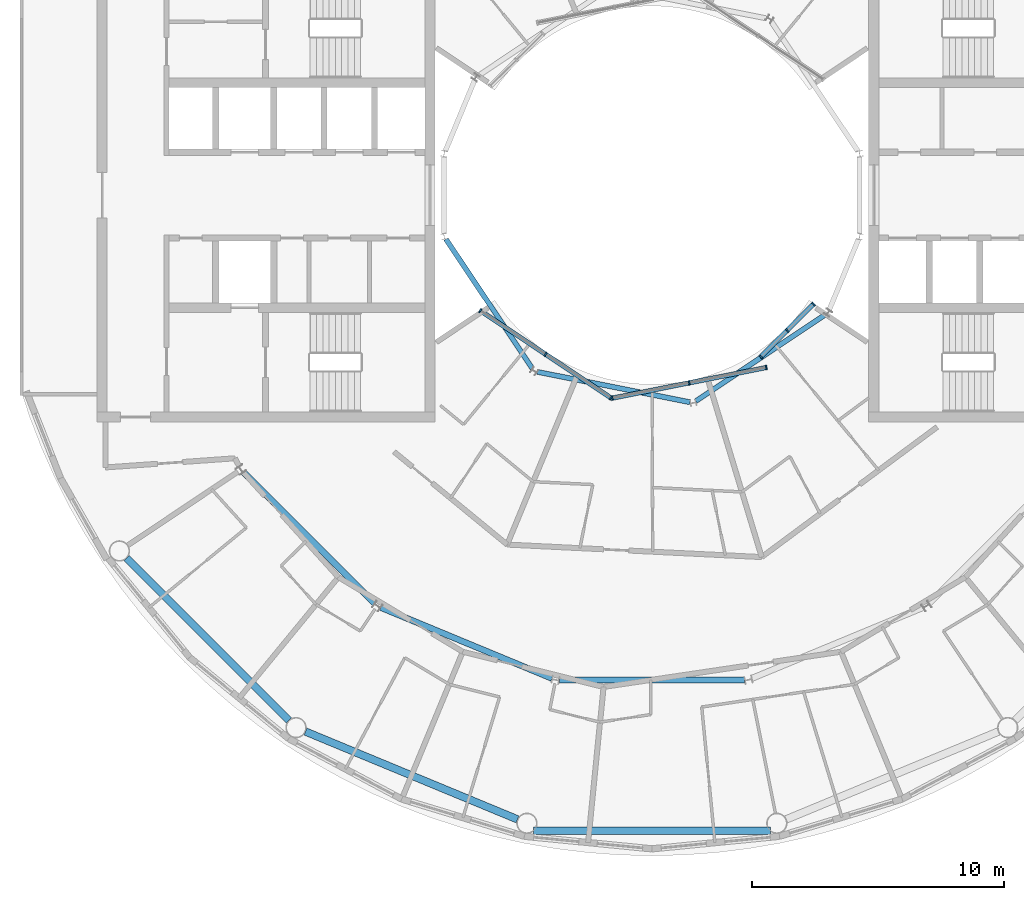
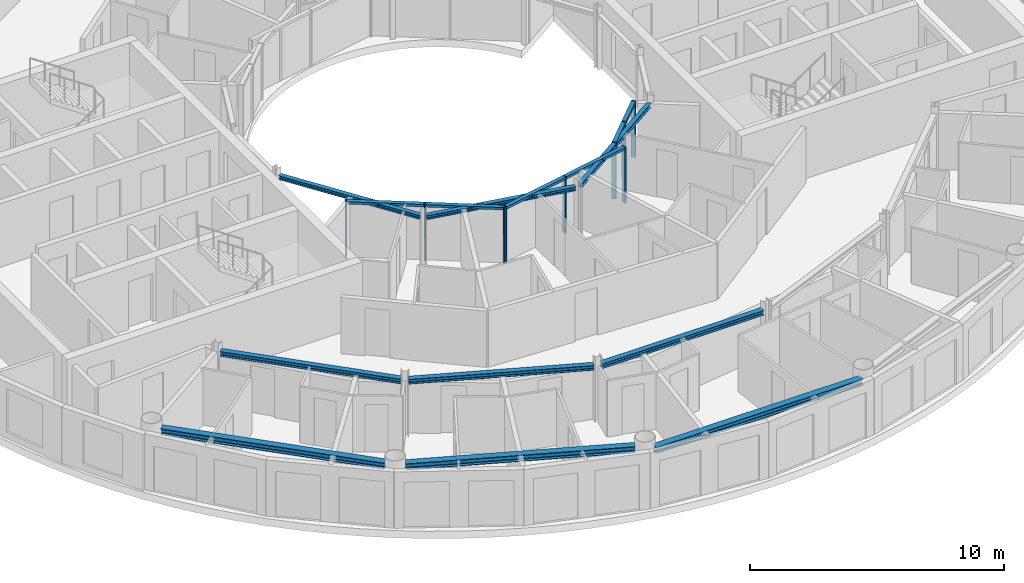
# One storey, part 6 of 22: 15 members, 9 beams, 3 elements without a shape of their own.
"""IFC4 building model written with IfcOpenShell, lengths in metres."""

from ifc_helpers import new_model, si_unit, direction, frame, origin, origin_2d, place, context, subcontext, project, spatial, rectangle, i_section, extrude, material, layer, layer_set, material_profile, profile_set, type_object, element, aggregate, save


model = new_model("IFC4")

# Units and contexts
model_context = context("Model", 3, precision=1e-05, world=origin(), true_north=direction((0.0, 1.0)))
body_context = subcontext(model_context, "Body", "Model", "MODEL_VIEW")
ifc_project = project(units=[si_unit("LENGTHUNIT", "METRE"), si_unit("AREAUNIT", "SQUARE_METRE"), si_unit("VOLUMEUNIT", "CUBIC_METRE"), si_unit("PLANEANGLEUNIT", "RADIAN"), si_unit("MASSUNIT", "GRAM", prefix="KILO")], contexts=[model_context])

# Site, building, storey
site_placement = place(None, origin())
site = spatial("IfcSite", under=ifc_project, at=site_placement, CompositionType="ELEMENT")
building_placement = place(site_placement, origin())
building = spatial("IfcBuilding", under=site, at=building_placement, Name="Maasbend Ring Residences", CompositionType="ELEMENT")
storey_placement = place(building_placement, frame((0.0, 0.0, 237.10009765625)))
storey = spatial("IfcBuildingStorey", under=building, at=storey_placement, Name="L68", CompositionType="ELEMENT", Elevation=237.10009765625)

# Curtain wall, members
ifc_material_1 = material(Name="Aluminium and clear glass", Category="aluminium")
ifc_layer = layer(ifc_material_1, 0.179931640625)
ifc_layer_set = layer_set([ifc_layer], Name="CW-W")
curtain_wall_type = type_object("IfcCurtainWallType", Name="CW-W", PredefinedType="NOTDEFINED", material=ifc_layer_set)
curtain_wall_1_placement = place(storey_placement, origin())
curtain_wall_1 = element("IfcCurtainWall", 1, at=curtain_wall_1_placement, inside=storey, type_object=curtain_wall_type, Name="Well curtain wall S1", PredefinedType="NOTDEFINED")
ifc_material_2 = material(Name="Aluminium 6063-T6", Category="aluminium")
ifc_material_profile_1 = material_profile(ifc_material_2, rectangle(XDim=0.179931640625, YDim=0.06005859375, at=origin_2d()), Name="AL 180x60")
ifc_profile_set_1 = profile_set([ifc_material_profile_1], Name="Aluminium 6063-T6")
member_type_1 = type_object("IfcMemberType", Name="CWM-W", PredefinedType="MULLION", material=ifc_profile_set_1)
member_1_placement = place(storey_placement, frame((-6.805908203125, -4.580810546875, 0.0), z_axis=(0.0, 0.0, 1.0), x_axis=(0.55557023302, 0.831469612303, 0.0)))
member_1 = element("IfcMember", 2, at=member_1_placement, type_object=member_type_1, Name="Mullion well face", PredefinedType="MULLION", context=body_context, shape_type="SweptSolid", body=[
    extrude(rectangle(XDim=0.179931640625, YDim=0.06005859375, at=origin_2d()), origin(), (0.0, 0.0, 1.0), 2.699951171875),
])
member_2_placement = place(storey_placement, frame((-4.216796875, -6.310791015625, 0.0), z_axis=(0.0, 0.0, 1.0), x_axis=(0.55557023302, 0.831469612303, 0.0)))
member_2 = element("IfcMember", 3, at=member_2_placement, type_object=member_type_1, Name="Mullion well face", PredefinedType="MULLION", context=body_context, shape_type="SweptSolid", body=[
    extrude(rectangle(XDim=0.179931640625, YDim=0.06005859375, at=origin_2d()), origin(), (0.0, 0.0, 1.0), 2.699951171875),
])
member_3_placement = place(storey_placement, frame((-1.627685546875, -8.040771484375, 0.0), z_axis=(0.0, 0.0, 1.0), x_axis=(0.55557023302, 0.831469612303, 0.0)))
member_3 = element("IfcMember", 4, at=member_3_placement, type_object=member_type_1, Name="Mullion well face", PredefinedType="MULLION", context=body_context, shape_type="SweptSolid", body=[
    extrude(rectangle(XDim=0.179931640625, YDim=0.06005859375, at=origin_2d()), origin(), (0.0, 0.0, 1.0), 2.699951171875),
])

curtain_wall_2_placement = place(storey_placement, origin())
curtain_wall_2 = element("IfcCurtainWall", 5, at=curtain_wall_2_placement, inside=storey, type_object=curtain_wall_type, Name="Well curtain wall S2", PredefinedType="NOTDEFINED")
member_4_placement = place(storey_placement, frame((-1.5732421875, -8.0517578125, 0.0), z_axis=(0.0, 0.0, 1.0), x_axis=(-0.195090322016, 0.980785280403, 0.0)))
member_4 = element("IfcMember", 6, at=member_4_placement, type_object=member_type_1, Name="Mullion well face", PredefinedType="MULLION", context=body_context, shape_type="SweptSolid", body=[
    extrude(rectangle(XDim=0.179931640625, YDim=0.06005859375, at=origin_2d()), origin(), (0.0, 0.0, 1.0), 2.699951171875),
])
member_5_placement = place(storey_placement, frame((1.480712890625, -7.444091796875, 0.0), z_axis=(0.0, 0.0, 1.0), x_axis=(-0.195090322016, 0.980785280403, 0.0)))
member_5 = element("IfcMember", 7, at=member_5_placement, type_object=member_type_1, Name="Mullion well face", PredefinedType="MULLION", context=body_context, shape_type="SweptSolid", body=[
    extrude(rectangle(XDim=0.179931640625, YDim=0.06005859375, at=origin_2d()), origin(), (0.0, 0.0, 1.0), 2.699951171875),
])
member_6_placement = place(storey_placement, frame((4.53466796875, -6.836669921875, 0.0), z_axis=(0.0, 0.0, 1.0), x_axis=(-0.195090322016, 0.980785280403, 0.0)))
member_6 = element("IfcMember", 8, at=member_6_placement, type_object=member_type_1, Name="Mullion well face", PredefinedType="MULLION", context=body_context, shape_type="SweptSolid", body=[
    extrude(rectangle(XDim=0.179931640625, YDim=0.06005859375, at=origin_2d()), origin(), (0.0, 0.0, 1.0), 2.699951171875),
])

curtain_wall_3_placement = place(storey_placement, origin())
curtain_wall_3 = element("IfcCurtainWall", 9, at=curtain_wall_3_placement, inside=storey, type_object=curtain_wall_type, Name="Well curtain wall S3", PredefinedType="NOTDEFINED")
member_7_placement = place(storey_placement, frame((4.320556640625, -6.413330078125, 0.0), z_axis=(0.0, 0.0, 1.0), x_axis=(-0.707106781187, 0.707106781187, 0.0)))
member_7 = element("IfcMember", 10, at=member_7_placement, type_object=member_type_1, Name="Mullion well face", PredefinedType="MULLION", context=body_context, shape_type="SweptSolid", body=[
    extrude(rectangle(XDim=0.179931640625, YDim=0.06005859375, at=origin_2d()), origin(), (0.0, 0.0, 1.0), 2.699951171875),
])
member_8_placement = place(storey_placement, frame((5.366943359375, -5.366943359375, 0.0), z_axis=(0.0, 0.0, 1.0), x_axis=(-0.707106781187, 0.707106781187, 0.0)))
member_8 = element("IfcMember", 11, at=member_8_placement, type_object=member_type_1, Name="Mullion well face", PredefinedType="MULLION", context=body_context, shape_type="SweptSolid", body=[
    extrude(rectangle(XDim=0.179931640625, YDim=0.06005859375, at=origin_2d()), origin(), (0.0, 0.0, 1.0), 2.699951171875),
])
member_9_placement = place(storey_placement, frame((6.413330078125, -4.320556640625, 0.0), z_axis=(0.0, 0.0, 1.0), x_axis=(-0.707106781187, 0.707106781187, 0.0)))
member_9 = element("IfcMember", 12, at=member_9_placement, type_object=member_type_1, Name="Mullion well face", PredefinedType="MULLION", context=body_context, shape_type="SweptSolid", body=[
    extrude(rectangle(XDim=0.179931640625, YDim=0.06005859375, at=origin_2d()), origin(), (0.0, 0.0, 1.0), 2.699951171875),
])

# Member
ifc_material_3 = material(Name="Aluminium 6063-T6", Category="aluminium")
ifc_material_profile_2 = material_profile(ifc_material_3, rectangle(XDim=0.179931640625, YDim=0.1201171875, at=origin_2d()), Name="AL 180x120")
ifc_profile_set_2 = profile_set([ifc_material_profile_2], Name="Aluminium 6063-T6")
member_type_2 = type_object("IfcMemberType", Name="CWT-W", PredefinedType="USERDEFINED", material=ifc_profile_set_2)
member_10_placement = place(storey_placement, frame((-6.781005859375, -4.59765625, 2.639892578125), z_axis=(0.831496422459, -0.555530106689, 0.0), x_axis=(0.555530106689, 0.831496422459, 0.0)))
member_10 = element("IfcMember", 13, at=member_10_placement, type_object=member_type_2, Name="Transom well face", ObjectType="TRANSOM", PredefinedType="USERDEFINED", context=body_context, shape_type="SweptSolid", body=[
    extrude(rectangle(XDim=0.179931640625, YDim=0.1201171875, at=origin_2d()), origin(), (0.0, 0.0, 1.0), 3.053955078125),
])

member_11_placement = place(storey_placement, frame((-4.19189453125, -6.32763671875, 2.639892578125), z_axis=(0.831496422459, -0.555530106689, 0.0), x_axis=(0.555530106689, 0.831496422459, 0.0)))
member_11 = element("IfcMember", 14, at=member_11_placement, type_object=member_type_2, Name="Transom well face", ObjectType="TRANSOM", PredefinedType="USERDEFINED", context=body_context, shape_type="SweptSolid", body=[
    extrude(rectangle(XDim=0.179931640625, YDim=0.1201171875, at=origin_2d()), origin(), (0.0, 0.0, 1.0), 3.053955078125),
])

aggregate(curtain_wall_1, [member_1, member_2, member_3, member_10, member_11])

member_12_placement = place(storey_placement, frame((-1.5439453125, -8.0458984375, 2.639892578125), z_axis=(0.980776956105, 0.195132166424, 0.0), x_axis=(-0.195132166424, 0.980776956105, 0.0)))
member_12 = element("IfcMember", 15, at=member_12_placement, type_object=member_type_2, Name="Transom well face", ObjectType="TRANSOM", PredefinedType="USERDEFINED", context=body_context, shape_type="SweptSolid", body=[
    extrude(rectangle(XDim=0.179931640625, YDim=0.1201171875, at=origin_2d()), origin(), (0.0, 0.0, 1.0), 3.053955078125),
])

member_13_placement = place(storey_placement, frame((1.51025390625, -7.438232421875, 2.639892578125), z_axis=(0.980789210404, 0.19507056353, 0.0), x_axis=(-0.19507056353, 0.980789210404, 0.0)))
member_13 = element("IfcMember", 16, at=member_13_placement, type_object=member_type_2, Name="Transom well face", ObjectType="TRANSOM", PredefinedType="USERDEFINED", context=body_context, shape_type="SweptSolid", body=[
    extrude(rectangle(XDim=0.179931640625, YDim=0.1201171875, at=origin_2d()), origin(), (0.0, 0.0, 1.0), 3.0537109375),
])

aggregate(curtain_wall_2, [member_4, member_5, member_6, member_12, member_13])

member_14_placement = place(storey_placement, frame((4.341796875, -6.39208984375, 2.639892578125), z_axis=(0.707106781187, 0.707106781187, 0.0), x_axis=(-0.707106781187, 0.707106781187, 0.0)))
member_14 = element("IfcMember", 17, at=member_14_placement, type_object=member_type_2, Name="Transom well face", ObjectType="TRANSOM", PredefinedType="USERDEFINED", context=body_context, shape_type="SweptSolid", body=[
    extrude(rectangle(XDim=0.179931640625, YDim=0.1201171875, at=origin_2d()), origin(), (0.0, 0.0, 1.0), 1.419677734375),
])

member_15_placement = place(storey_placement, frame((5.38818359375, -5.345703125, 2.639892578125), z_axis=(0.707106781187, 0.707106781187, 0.0), x_axis=(-0.707106781187, 0.707106781187, 0.0)))
member_15 = element("IfcMember", 18, at=member_15_placement, type_object=member_type_2, Name="Transom well face", ObjectType="TRANSOM", PredefinedType="USERDEFINED", context=body_context, shape_type="SweptSolid", body=[
    extrude(rectangle(XDim=0.179931640625, YDim=0.1201171875, at=origin_2d()), origin(), (0.0, 0.0, 1.0), 1.419677734375),
])

aggregate(curtain_wall_3, [member_7, member_8, member_9, member_14, member_15])

# Beams
ifc_material_4 = material(Name="Steel S355J2", Category="steel")
ifc_material_profile_3 = material_profile(ifc_material_4, i_section(OverallWidth=0.239990234375, OverallDepth=0.22998046875, WebThickness=0.007568359375, FlangeThickness=0.011962890625, FilletRadius=0.02099609375, at=origin_2d()), Name="HEA 240")
ifc_profile_set_3 = profile_set([ifc_material_profile_3], Name="Steel S355J2")
beam_type_1 = type_object("IfcBeamType", Name="Corridor ring beam HEA 240", PredefinedType="BEAM", material=ifc_profile_set_3)
beam_1_placement = place(storey_placement, frame((-16.188720703125, -10.997314453125, 2.5849609375), z_axis=(0.707106781187, -0.707106781187, 0.0), x_axis=(0.707106781187, 0.707106781187, 0.0)))
element("IfcBeam", 19, at=beam_1_placement, inside=storey, type_object=beam_type_1, Name="Corridor ring beam", PredefinedType="BEAM", context=body_context, shape_type="SweptSolid", body=[
    extrude(i_section(OverallWidth=0.239990234375, OverallDepth=0.22998046875, WebThickness=0.007568359375, FlangeThickness=0.011962890625, FilletRadius=0.02099609375, at=origin_2d()), origin(), (0.0, 0.0, 1.0), 7.341796875),
])
beam_2_placement = place(storey_placement, frame((-10.747802734375, -16.355224609375, 2.5849609375), z_axis=(0.923875784142, -0.382692481603, 0.0), x_axis=(0.382692481603, 0.923875784142, 0.0)))
element("IfcBeam", 20, at=beam_2_placement, inside=storey, type_object=beam_type_1, Name="Corridor ring beam", PredefinedType="BEAM", context=body_context, shape_type="SweptSolid", body=[
    extrude(i_section(OverallWidth=0.239990234375, OverallDepth=0.22998046875, WebThickness=0.007568359375, FlangeThickness=0.011962890625, FilletRadius=0.02099609375, at=origin_2d()), origin(), (0.0, 0.0, 1.0), 7.341552734375),
])
beam_3_placement = place(storey_placement, frame((-3.6708984375, -19.223388671875, 2.5849609375), z_axis=(1.0, 0.0, 0.0), x_axis=(0.0, 1.0, 0.0)))
element("IfcBeam", 21, at=beam_3_placement, inside=storey, type_object=beam_type_1, Name="Corridor ring beam", PredefinedType="BEAM", context=body_context, shape_type="SweptSolid", body=[
    extrude(i_section(OverallWidth=0.239990234375, OverallDepth=0.22998046875, WebThickness=0.007568359375, FlangeThickness=0.011962890625, FilletRadius=0.02099609375, at=origin_2d()), origin(), (0.0, 0.0, 1.0), 7.341796875),
])
ifc_material_5 = material(Name="Steel S355J2", Category="steel")
ifc_material_profile_4 = material_profile(ifc_material_5, i_section(OverallWidth=0.300048828125, OverallDepth=0.300048828125, WebThickness=0.010986328125, FlangeThickness=0.01904296875, FilletRadius=0.027099609375, at=origin_2d()), Name="HEB 300")
ifc_profile_set_4 = profile_set([ifc_material_profile_4], Name="Steel S355J2")
beam_type_2 = type_object("IfcBeamType", Name="Spandrel ring beam HEB 300", PredefinedType="SPANDREL", material=ifc_profile_set_4)
for number, where, z_axis, x_axis, name in (
    (22, (-20.831787109375, -14.39892578125, 2.5498046875), (0.707106781187, -0.707106781187, 0.0), (0.707106781187, 0.707106781187, 0.0), "Spandrel ring beam"),
    (23, (-13.73583984375, -21.27490234375, 2.5498046875), (0.923880768897, -0.382680447453, 0.0), (0.382680447453, 0.923880768897, 0.0), "Spandrel ring beam"),
):
    element("IfcBeam", number, at=place(storey_placement, frame(where, z_axis=z_axis, x_axis=x_axis)), inside=storey, type_object=beam_type_2, Name=name, PredefinedType="SPANDREL", context=body_context, shape_type="SweptSolid", body=[
        extrude(i_section(OverallWidth=0.300048828125, OverallDepth=0.300048828125, WebThickness=0.010986328125, FlangeThickness=0.01904296875, FilletRadius=0.027099609375, at=origin_2d()), origin(), (0.0, 0.0, 1.0), 9.097412109375),
    ])
beam_4_placement = place(storey_placement, frame((-4.69873046875, -25.2119140625, 2.5498046875), z_axis=(1.0, 0.0, 0.0), x_axis=(0.0, 1.0, 0.0)))
element("IfcBeam", 24, at=beam_4_placement, inside=storey, type_object=beam_type_2, Name="Spandrel ring beam", PredefinedType="SPANDREL", context=body_context, shape_type="SweptSolid", body=[
    extrude(i_section(OverallWidth=0.300048828125, OverallDepth=0.300048828125, WebThickness=0.010986328125, FlangeThickness=0.01904296875, FilletRadius=0.027099609375, at=origin_2d()), origin(), (0.0, 0.0, 1.0), 9.3974609375),
])
ifc_material_6 = material(Name="Steel S355J2", Category="steel")
ifc_material_profile_5 = material_profile(ifc_material_6, i_section(OverallWidth=0.199951171875, OverallDepth=0.18994140625, WebThickness=0.006591796875, FlangeThickness=0.010009765625, FilletRadius=0.01806640625, at=origin_2d()), Name="HEA 200")
ifc_profile_set_5 = profile_set([ifc_material_profile_5], Name="Steel S355J2")
beam_type_3 = type_object("IfcBeamType", Name="Well edge beam HEA 200", PredefinedType="BEAM", material=ifc_profile_set_5)
for number, where, z_axis, x_axis, name in (
    (25, (-8.16943359375, -1.7421875, 2.60498046875), (0.555547729421, -0.831484648286, 0.0), (0.831484648286, 0.555547729421, 0.0), "Well edge beam"),
    (26, (-4.544677734375, -7.008544921875, 2.60498046875), (0.98078072474, -0.195113223486, 0.0), (0.195113223486, 0.98078072474, 0.0), "Well edge beam"),
    (27, (1.7421875, -8.16943359375, 2.60498046875), (0.831484648286, 0.555547729421, 0.0), (-0.555547729421, 0.831484648286, 0.0), "Well edge beam"),
):
    element("IfcBeam", number, at=place(storey_placement, frame(where, z_axis=z_axis, x_axis=x_axis)), inside=storey, type_object=beam_type_3, Name=name, PredefinedType="BEAM", context=body_context, shape_type="SweptSolid", body=[
        extrude(i_section(OverallWidth=0.199951171875, OverallDepth=0.18994140625, WebThickness=0.006591796875, FlangeThickness=0.010009765625, FilletRadius=0.01806640625, at=origin_2d()), origin(), (0.0, 0.0, 1.0), 6.18017578125),
    ])

save(model, "model.ifc")
